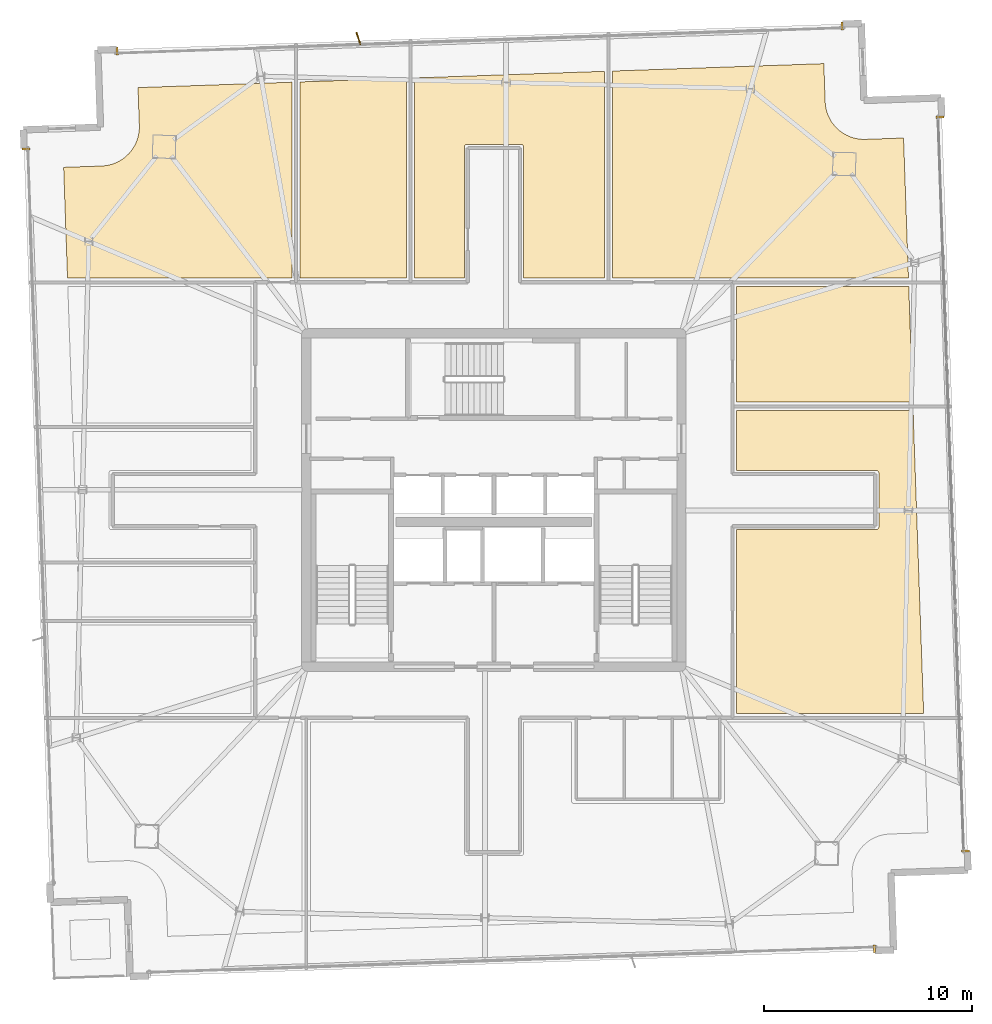
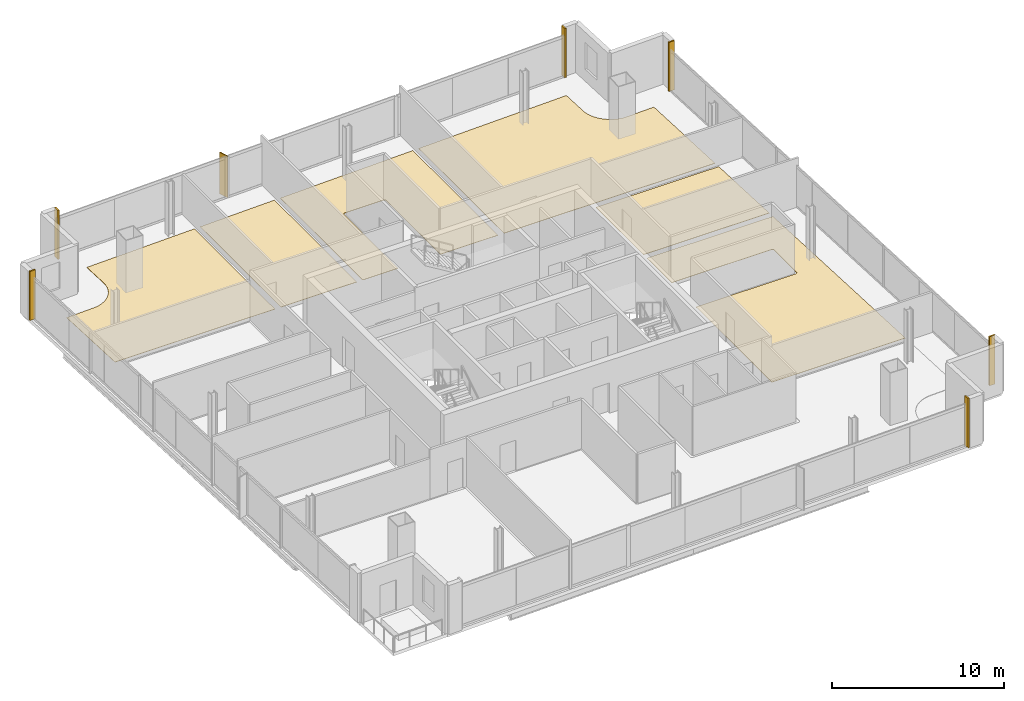
# One storey, part 23 of 23: 12 coverings, 1 shading device.
"""IFC4 building model written with IfcOpenShell, lengths in metres."""

from ifc_helpers import new_model, si_unit, direction, frame, origin, origin_2d, place, context, subcontext, project, spatial, polyline, rectangle, outline, extrude, source, transform, mapped, material, layer, layer_set, type_object, element, save


model = new_model("IFC4")

# Units and contexts
model_context = context("Model", 3, precision=1e-05, world=origin(), true_north=direction((0.0, 1.0)))
body_context = subcontext(model_context, "Body", "Model", "MODEL_VIEW")
ifc_project = project(units=[si_unit("LENGTHUNIT", "METRE"), si_unit("AREAUNIT", "SQUARE_METRE"), si_unit("VOLUMEUNIT", "CUBIC_METRE"), si_unit("PLANEANGLEUNIT", "RADIAN"), si_unit("MASSUNIT", "GRAM", prefix="KILO")], contexts=[model_context])

# Site, building, storey
site_placement = place(None, origin())
site = spatial("IfcSite", under=ifc_project, at=site_placement, CompositionType="ELEMENT")
building_placement = place(site_placement, origin())
building = spatial("IfcBuilding", under=site, at=building_placement, Name="Haldenkirk Collegiate Tower", CompositionType="ELEMENT")
storey_placement = place(building_placement, frame((0.0, 0.0, 336.449951171875)))
storey = spatial("IfcBuildingStorey", under=building, at=storey_placement, Name="L85", CompositionType="ELEMENT", Elevation=336.449951171875)

# Coverings
ifc_material_1 = material(Name="Polished collegiate terrazzo", Category="concrete")
ifc_layer_1 = layer(ifc_material_1, 0.02490234375)
ifc_layer_set_1 = layer_set([ifc_layer_1], Name="Polished collegiate terrazzo")
covering_type_1 = type_object("IfcCoveringType", Name="COV-FLOOR-TERRAZZO", PredefinedType="FLOORING", material=ifc_layer_set_1)
covering_1_placement = place(storey_placement, origin())
element("IfcCovering", 1, at=covering_1_placement, inside=storey, type_object=covering_type_1, Name="L85 academic room finish 04", PredefinedType="FLOORING", context=body_context, shape_type="SweptSolid", body=[
    extrude(outline(polyline([(31.800048828125, 46.24560546875), (31.800048828125, 36.64990234375), (26.699951171875, 36.64990234375), (26.699951171875, 46.067626953125), (31.800048828125, 46.24560546875)])), origin(), (0.0, 0.0, 1.0), 0.025146484375),
])
covering_2_placement = place(storey_placement, origin())
element("IfcCovering", 2, at=covering_2_placement, inside=storey, type_object=covering_type_1, Name="L85 academic room finish 06", PredefinedType="FLOORING", context=body_context, shape_type="SweptSolid", body=[
    extrude(outline(polyline([(51.833740234375, 46.9453125), (51.897705078125, 45.116455078125), (51.89794921875, 45.110595703125), (51.912353515625, 44.939453125), (51.913818359375, 44.927734375), (51.945068359375, 44.7587890625), (51.94775390625, 44.747314453125), (51.9951171875, 44.58251953125), (51.9990234375, 44.5712890625), (52.0625, 44.41162109375), (52.0673828125, 44.40087890625), (52.146240234375, 44.248291015625), (52.152099609375, 44.23828125), (52.245361328125, 44.093994140625), (52.252197265625, 44.08447265625), (52.359375, 43.9501953125), (52.3671875, 43.94140625), (52.48681640625, 43.818115234375), (52.49560546875, 43.81005859375), (52.626708984375, 43.69921875), (52.635986328125, 43.692138671875), (52.77734375, 43.5947265625), (52.787353515625, 43.588623046875), (52.937744140625, 43.505615234375), (52.9482421875, 43.500244140625), (53.106201171875, 43.432373046875), (53.1171875, 43.42822265625), (53.28076171875, 43.3759765625), (53.292236328125, 43.372802734375), (53.460205078125, 43.337158203125), (53.4716796875, 43.335205078125), (53.642333984375, 43.31591796875), (53.654052734375, 43.315185546875), (53.82568359375, 43.312744140625), (53.831787109375, 43.31298828125), (55.660400390625, 43.376708984375), (55.8955078125, 36.64990234375), (41.699951171875, 36.64990234375), (41.699951171875, 46.591552734375), (51.833740234375, 46.9453125)])), origin(), (0.0, 0.0, 1.0), 0.025146484375),
])
covering_3_placement = place(storey_placement, origin())
element("IfcCovering", 3, at=covering_3_placement, inside=storey, type_object=covering_type_1, Name="L85 academic room finish 12", PredefinedType="FLOORING", context=body_context, shape_type="SweptSolid", body=[
    extrude(outline(polyline([(56.103271484375, 30.699951171875), (47.64990234375, 30.699951171875), (47.64990234375, 36.25), (55.909423828125, 36.25), (56.103271484375, 30.699951171875)])), origin(), (0.0, 0.0, 1.0), 0.025146484375),
])
ifc_material_2 = material(Name="Engineered collegiate oak acoustic flooring", Category="wood")
ifc_layer_2 = layer(ifc_material_2, 0.02197265625)
ifc_layer_set_2 = layer_set([ifc_layer_2], Name="Engineered collegiate oak acoustic flooring")
covering_type_2 = type_object("IfcCoveringType", Name="COV-FLOOR-TIMBER", PredefinedType="FLOORING", material=ifc_layer_set_2)
covering_4_placement = place(storey_placement, origin())
element("IfcCovering", 4, at=covering_4_placement, inside=storey, type_object=covering_type_2, Name="L85 academic room finish 03", PredefinedType="FLOORING", context=body_context, shape_type="SweptSolid", body=[
    extrude(outline(polyline([(17.178955078125, 42.032958984375), (17.184814453125, 42.033203125), (17.35595703125, 42.047607421875), (17.36767578125, 42.04931640625), (17.53662109375, 42.080322265625), (17.548095703125, 42.0830078125), (17.712890625, 42.130615234375), (17.72412109375, 42.134521484375), (17.8837890625, 42.197998046875), (17.89453125, 42.202880859375), (18.047119140625, 42.281494140625), (18.05712890625, 42.28759765625), (18.201416015625, 42.380859375), (18.2109375, 42.3876953125), (18.34521484375, 42.494873046875), (18.35400390625, 42.50244140625), (18.477294921875, 42.622314453125), (18.4853515625, 42.630859375), (18.59619140625, 42.76220703125), (18.603271484375, 42.771484375), (18.70068359375, 42.912841796875), (18.706787109375, 42.9228515625), (18.789794921875, 43.072998046875), (18.795166015625, 43.083740234375), (18.863037109375, 43.241455078125), (18.8671875, 43.25244140625), (18.91943359375, 43.416015625), (18.922607421875, 43.427490234375), (18.958251953125, 43.595458984375), (18.960205078125, 43.60693359375), (18.9794921875, 43.777587890625), (18.980224609375, 43.789306640625), (18.982666015625, 43.961181640625), (18.982421875, 43.967041015625), (18.918701171875, 45.7958984375), (26.300048828125, 46.0537109375), (26.300048828125, 36.64990234375), (15.535888671875, 36.64990234375), (15.35009765625, 41.968994140625), (17.178955078125, 42.032958984375)])), origin(), (0.0, 0.0, 1.0), 0.02197265625),
])
covering_5_placement = place(storey_placement, origin())
element("IfcCovering", 5, at=covering_5_placement, inside=storey, type_object=covering_type_2, Name="L85 academic room finish 05", PredefinedType="FLOORING", context=body_context, shape_type="SweptSolid", body=[
    extrude(outline(polyline([(41.300048828125, 46.577392578125), (41.300048828125, 36.64990234375), (37.419921875, 36.64990234375), (37.419921875, 42.949951171875), (37.41943359375, 42.9619140625), (37.417724609375, 42.973388671875), (37.414794921875, 42.98486328125), (37.410888671875, 42.995849609375), (37.40576171875, 43.006591796875), (37.39990234375, 43.0166015625), (37.392822265625, 43.026123046875), (37.385009765625, 43.034912109375), (37.376220703125, 43.042724609375), (37.36669921875, 43.0498046875), (37.356689453125, 43.055908203125), (37.345947265625, 43.060791015625), (37.334716796875, 43.064697265625), (37.323486328125, 43.067626953125), (37.311767578125, 43.0693359375), (37.300048828125, 43.070068359375), (34.699951171875, 43.070068359375), (34.688232421875, 43.0693359375), (34.676513671875, 43.067626953125), (34.665283203125, 43.064697265625), (34.654052734375, 43.060791015625), (34.643310546875, 43.055908203125), (34.63330078125, 43.0498046875), (34.623779296875, 43.042724609375), (34.614990234375, 43.034912109375), (34.607177734375, 43.026123046875), (34.60009765625, 43.0166015625), (34.59423828125, 43.006591796875), (34.589111328125, 42.995849609375), (34.585205078125, 42.98486328125), (34.582275390625, 42.973388671875), (34.58056640625, 42.9619140625), (34.580078125, 42.949951171875), (34.580078125, 36.64990234375), (32.199951171875, 36.64990234375), (32.199951171875, 46.259765625), (41.300048828125, 46.577392578125)])), origin(), (0.0, 0.0, 1.0), 0.02197265625),
])
covering_6_placement = place(storey_placement, origin())
element("IfcCovering", 6, at=covering_6_placement, inside=storey, type_object=covering_type_2, Name="L85 academic room finish 11", PredefinedType="FLOORING", context=body_context, shape_type="SweptSolid", body=[
    extrude(outline(polyline([(54.35009765625, 24.580078125), (54.36181640625, 24.58056640625), (54.373291015625, 24.582275390625), (54.384765625, 24.585205078125), (54.39599609375, 24.589111328125), (54.406494140625, 24.59423828125), (54.416748046875, 24.60009765625), (54.426025390625, 24.607177734375), (54.434814453125, 24.614990234375), (54.44287109375, 24.623779296875), (54.44970703125, 24.63330078125), (54.455810546875, 24.643310546875), (54.4609375, 24.654052734375), (54.46484375, 24.665283203125), (54.4677734375, 24.676513671875), (54.469482421875, 24.688232421875), (54.469970703125, 24.699951171875), (54.469970703125, 27.300048828125), (54.469482421875, 27.311767578125), (54.4677734375, 27.323486328125), (54.46484375, 27.334716796875), (54.4609375, 27.345947265625), (54.455810546875, 27.356689453125), (54.44970703125, 27.36669921875), (54.44287109375, 27.376220703125), (54.434814453125, 27.385009765625), (54.426025390625, 27.392822265625), (54.416748046875, 27.39990234375), (54.406494140625, 27.40576171875), (54.39599609375, 27.410888671875), (54.384765625, 27.414794921875), (54.373291015625, 27.417724609375), (54.36181640625, 27.41943359375), (54.35009765625, 27.419921875), (47.64990234375, 27.419921875), (47.64990234375, 30.300048828125), (56.1171875, 30.300048828125), (56.625244140625, 15.75), (47.64990234375, 15.75), (47.64990234375, 24.580078125), (54.35009765625, 24.580078125)])), origin(), (0.0, 0.0, 1.0), 0.02197265625),
])
ifc_material_3 = material(Name="Anodised architectural bronze aluminium", Category="aluminium")
ifc_layer_3 = layer(ifc_material_3, 0.06005859375)
ifc_layer_set_3 = layer_set([ifc_layer_3], Name="Anodised architectural bronze aluminium")
covering_type_3 = type_object("IfcCoveringType", Name="COV-CLAD-BRONZE-60", PredefinedType="CLADDING", material=ifc_layer_set_3)
shared_shape_1 = source(origin(), body_context, "Body", "SweptSolid", [
    extrude(rectangle(XDim=0.10009765625, YDim=0.3798828125, at=origin_2d()), origin(), (0.0, 0.0, 1.0), 3.489990234375),
])
for number, where, z_axis, x_axis, name in (
    (7, (57.406494140625, 44.37841796875, 0.0), (0.0, 0.0, 1.0), (0.034899496703, -0.999390827019, 0.0), "L85 recessed curtain-wall bronze jamb closure SJL"),
    (8, (58.636474609375, 9.159912109375, 0.0), (0.0, 0.0, 1.0), (0.034899496703, -0.999390827019, 0.0), "L85 recessed curtain-wall bronze jamb closure SJR"),
    (9, (17.917236328125, 47.5419921875, 0.0), (0.0, 0.0, 1.0), (0.999390827019, 0.034899496703, 0.0), "L85 recessed curtain-wall bronze jamb closure EJL"),
    (10, (52.7109375, 48.757080078125, 0.0), (0.0, 0.0, 1.0), (0.999390827019, 0.034899496703, 0.0), "L85 recessed curtain-wall bronze jamb closure EJR"),
    (11, (13.538330078125, 42.846435546875, 0.0), (0.0, 0.0, 1.0), (-0.034899496703, 0.999390827019, 0.0), "L85 recessed curtain-wall bronze jamb closure NJR"),
    (12, (54.2578125, 4.464111328125, 0.0), (0.0, 0.0, 1.0), (-0.999390827019, -0.034899496703, 0.0), "L85 recessed curtain-wall bronze jamb closure WJL"),
):
    element("IfcCovering", number, at=place(storey_placement, frame(where, z_axis=z_axis, x_axis=x_axis)), inside=storey, type_object=covering_type_3, Name=name, PredefinedType="CLADDING", context=body_context, shape_type="MappedRepresentation", body=[
        mapped(shared_shape_1, transform((0.0, 0.0, 0.0), x_axis=(1.0, 0.0, 0.0), y_axis=(0.0, 1.0, 0.0), z_axis=(0.0, 0.0, 1.0), scale=1.0)),
    ])

# Shading device
ifc_layer_4 = layer(ifc_material_3, 0.06494140625)
ifc_layer_set_4 = layer_set([ifc_layer_4], Name="Anodised architectural bronze aluminium")
shading_device_type = type_object("IfcShadingDeviceType", Name="SHD-FIN-BRONZE-620", PredefinedType="USERDEFINED", material=ifc_layer_set_4)
shared_shape_2 = source(origin(), body_context, "Body", "SweptSolid", [
    extrude(rectangle(XDim=0.6201171875, YDim=0.06494140625, at=origin_2d()), origin(), (0.0, 0.0, 1.0), 2.947998046875),
])
shading_device_placement = place(storey_placement, frame((29.498046875, 48.151611328125, 0.0), z_axis=(0.0, 0.0, 1.0), x_axis=(-0.309016994375, 0.951056516295, 0.0)))
element("IfcShadingDevice", 13, at=shading_device_placement, inside=storey, type_object=shading_device_type, Name="L85 folded bronze solar fin 1", ObjectType="FIN", PredefinedType="USERDEFINED", context=body_context, shape_type="MappedRepresentation", body=[
    mapped(shared_shape_2, transform((0.0, 0.0, 0.0), x_axis=(1.0, 0.0, 0.0), y_axis=(0.0, 1.0, 0.0), z_axis=(0.0, 0.0, 1.0), scale=1.0)),
])

save(model, "model.ifc")
